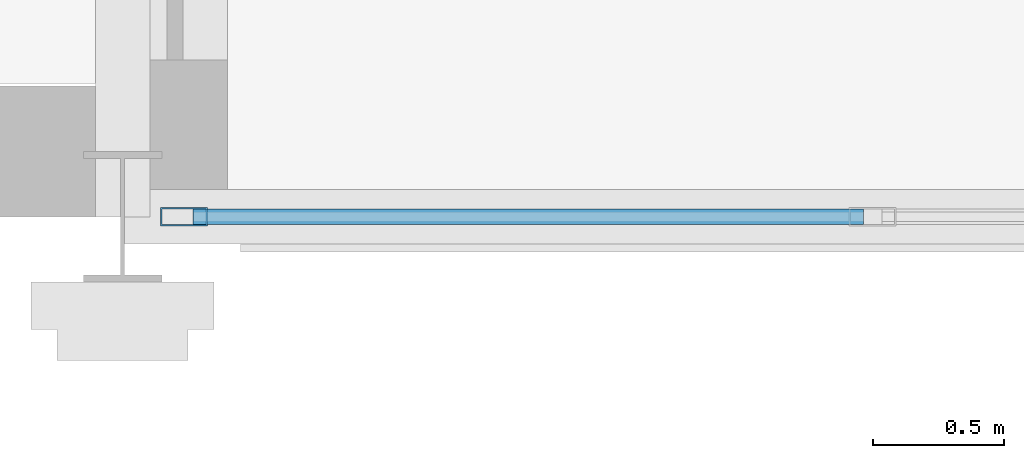
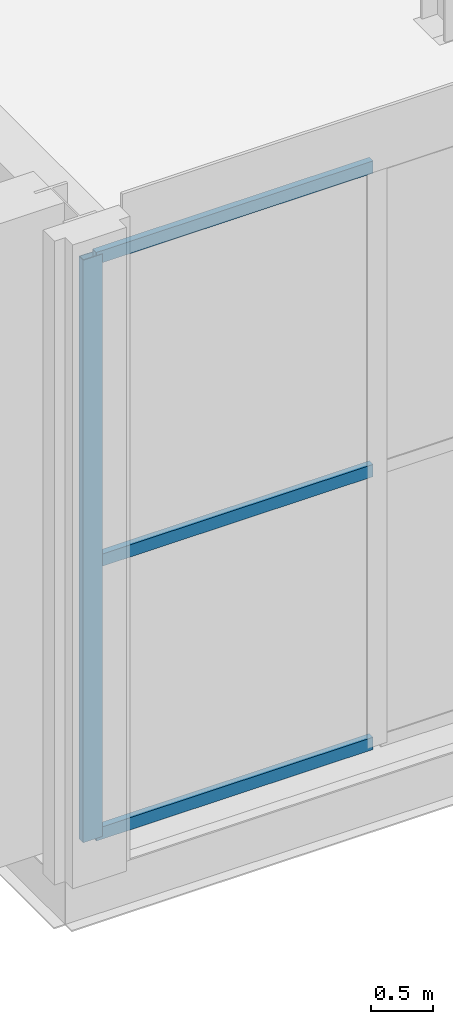
# One storey, part 20 of 77: 4 members, 1 element without a shape of its own.
"""IFC4 building model written with IfcOpenShell, lengths in metres."""

from ifc_helpers import new_model, si_unit, direction, frame, origin, origin_2d, place, context, subcontext, project, spatial, hollow_rectangle, extrude, material, material_profile, profile_set, type_object, element, aggregate, save


model = new_model("IFC4")

# Units and contexts
model_context = context("Model", 3, precision=1e-05, world=origin(), true_north=direction((0.0, 1.0)))
body_context = subcontext(model_context, "Body", "Model", "MODEL_VIEW")
ifc_project = project(units=[si_unit("LENGTHUNIT", "METRE"), si_unit("AREAUNIT", "SQUARE_METRE"), si_unit("VOLUMEUNIT", "CUBIC_METRE"), si_unit("PLANEANGLEUNIT", "RADIAN"), si_unit("MASSUNIT", "GRAM", prefix="KILO")], contexts=[model_context])

# Site, building, storey
site_placement = place(None, origin())
site = spatial("IfcSite", under=ifc_project, at=site_placement, CompositionType="ELEMENT")
building_placement = place(site_placement, origin())
building = spatial("IfcBuilding", under=site, at=building_placement, Name="Catenary Quay Ferry Terminal", CompositionType="ELEMENT")
storey_placement = place(building_placement, frame((0.0, 0.0, 10.800048828125)))
storey = spatial("IfcBuildingStorey", under=building, at=storey_placement, Name="L02", CompositionType="ELEMENT", Elevation=10.800048828125)

# Curtain wall, members
ifc_material_1 = material(Name="Aluminium and glass", Category="aluminium")
curtain_wall_type = type_object("IfcCurtainWallType", Name="CWW2", PredefinedType="NOTDEFINED", material=ifc_material_1)
curtain_wall_placement = place(storey_placement, origin())
curtain_wall = element("IfcCurtainWall", 1, at=curtain_wall_placement, inside=storey, type_object=curtain_wall_type, Name="Wing curtain wall CW142", PredefinedType="NOTDEFINED")
ifc_material_2 = material(Name="Aluminium", Category="aluminium")
ifc_material_profile_1 = material_profile(ifc_material_2, hollow_rectangle(XDim=0.070068359375, YDim=0.179931640625, WallThickness=0.006103515625, at=origin_2d()), Name="MU3")
ifc_profile_set_1 = profile_set([ifc_material_profile_1], Name="Aluminium")
member_type_1 = type_object("IfcMemberType", Name="MU3", PredefinedType="MULLION", material=ifc_profile_set_1)
member_1_placement = place(storey_placement, frame((50.635009765625, 159.60009765625, 0.0), z_axis=(0.0, 0.0, 1.0), x_axis=(0.0, 1.0, 0.0)))
member_1 = element("IfcMember", 2, at=member_1_placement, type_object=member_type_1, Name="CW142 mullion 1", PredefinedType="MULLION", context=body_context, shape_type="SweptSolid", body=[
    extrude(hollow_rectangle(XDim=0.070068359375, YDim=0.179931640625, WallThickness=0.006103515625, at=origin_2d()), origin(), (0.0, 0.0, 1.0), 5.699951171875),
])
ifc_material_3 = material(Name="Aluminium", Category="aluminium")
ifc_material_profile_2 = material_profile(ifc_material_3, hollow_rectangle(XDim=0.06005859375, YDim=0.1201171875, WallThickness=0.0048828125, at=origin_2d()), Name="TR3")
ifc_profile_set_2 = profile_set([ifc_material_profile_2], Name="Aluminium")
member_type_2 = type_object("IfcMemberType", Name="TR3", PredefinedType="USERDEFINED", material=ifc_profile_set_2)
member_2_placement = place(storey_placement, frame((50.669921875, 159.60009765625, 0.030029296875), z_axis=(1.0, 0.0, 0.0), x_axis=(0.0, 1.0, 0.0)))
member_2 = element("IfcMember", 3, at=member_2_placement, type_object=member_type_2, Name="CW142 transom 1.1", ObjectType="TRANSOM", PredefinedType="USERDEFINED", context=body_context, shape_type="SweptSolid", body=[
    extrude(hollow_rectangle(XDim=0.06005859375, YDim=0.1201171875, WallThickness=0.0048828125, at=origin_2d()), origin(), (0.0, 0.0, 1.0), 2.561767578125),
])
member_3_placement = place(storey_placement, frame((50.669921875, 159.60009765625, 2.699951171875), z_axis=(1.0, 0.0, 0.0), x_axis=(0.0, 1.0, 0.0)))
member_3 = element("IfcMember", 4, at=member_3_placement, type_object=member_type_2, Name="CW142 transom 1.2", ObjectType="TRANSOM", PredefinedType="USERDEFINED", context=body_context, shape_type="SweptSolid", body=[
    extrude(hollow_rectangle(XDim=0.06005859375, YDim=0.1201171875, WallThickness=0.0048828125, at=origin_2d()), origin(), (0.0, 0.0, 1.0), 2.561767578125),
])
member_4_placement = place(storey_placement, frame((50.669921875, 159.60009765625, 5.669921875), z_axis=(1.0, 0.0, 0.0), x_axis=(0.0, 1.0, 0.0)))
member_4 = element("IfcMember", 5, at=member_4_placement, type_object=member_type_2, Name="CW142 transom 1.3", ObjectType="TRANSOM", PredefinedType="USERDEFINED", context=body_context, shape_type="SweptSolid", body=[
    extrude(hollow_rectangle(XDim=0.06005859375, YDim=0.1201171875, WallThickness=0.0048828125, at=origin_2d()), origin(), (0.0, 0.0, 1.0), 2.561767578125),
])
aggregate(curtain_wall, [member_1, member_2, member_3, member_4])

save(model, "model.ifc")
